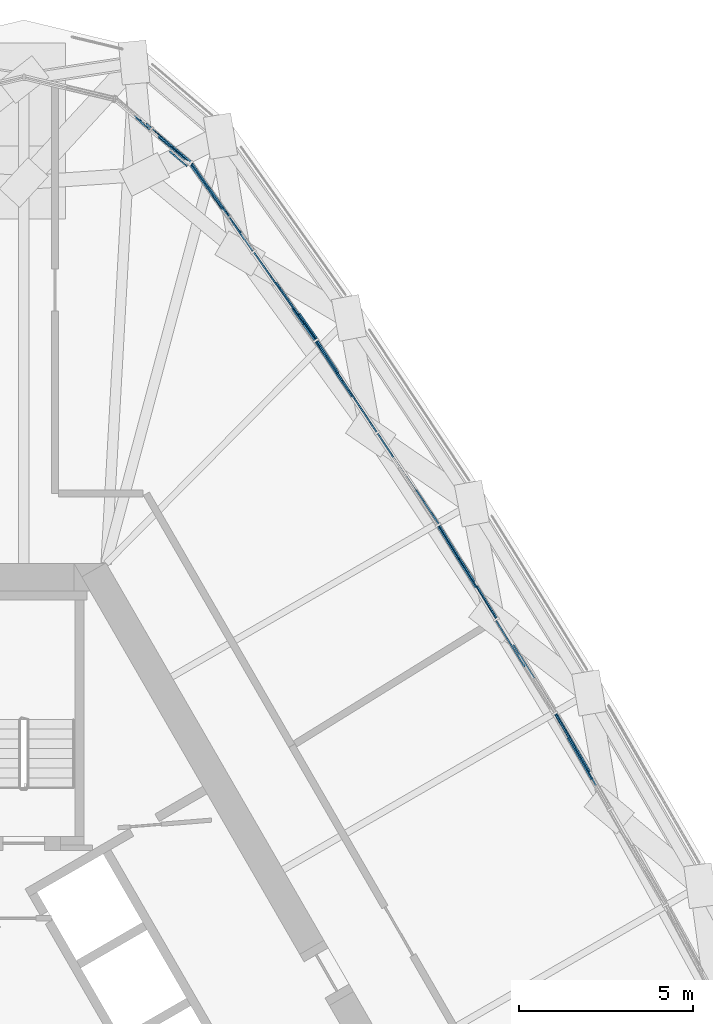
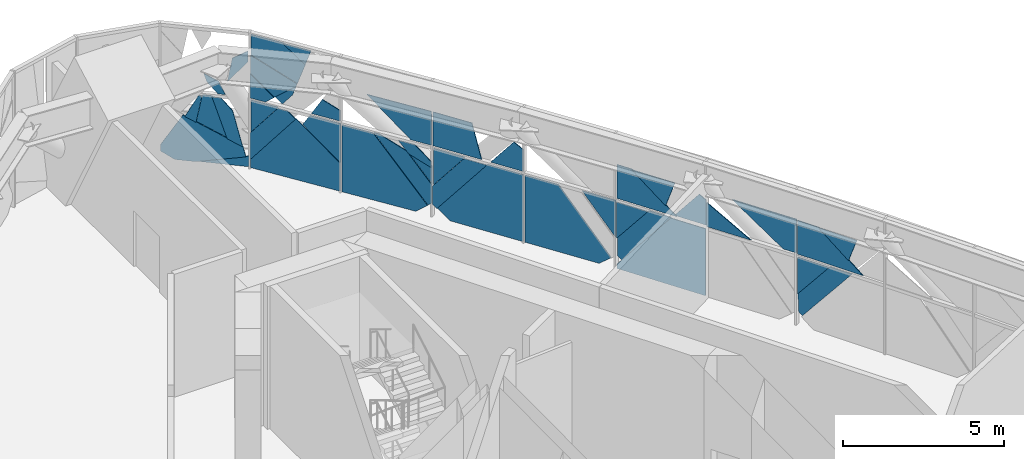
# One storey, part 18 of 35: 41 plates, 2 elements without a shape of their own.
"""IFC4 building model written with IfcOpenShell, lengths in metres."""

from ifc_helpers import new_model, si_unit, direction, frame, origin, place, context, subcontext, project, spatial, polyline, outline, extrude, material, layer, layer_set, type_object, element, aggregate, save


model = new_model("IFC4")

# Units and contexts
model_context = context("Model", 3, precision=1e-05, world=origin(), true_north=direction((0.0, 1.0)))
body_context = subcontext(model_context, "Body", "Model", "MODEL_VIEW")
ifc_project = project(units=[si_unit("LENGTHUNIT", "METRE"), si_unit("AREAUNIT", "SQUARE_METRE"), si_unit("VOLUMEUNIT", "CUBIC_METRE"), si_unit("PLANEANGLEUNIT", "RADIAN"), si_unit("MASSUNIT", "GRAM", prefix="KILO")], contexts=[model_context])

# Site, building, storey
site_placement = place(None, origin())
site = spatial("IfcSite", under=ifc_project, at=site_placement, CompositionType="ELEMENT")
building_placement = place(site_placement, origin())
building = spatial("IfcBuilding", under=site, at=building_placement, Name="Mestral Congress Tower", CompositionType="ELEMENT")
storey_placement = place(building_placement, frame((0.0, 0.0, 196.199951171875)))
storey = spatial("IfcBuildingStorey", under=building, at=storey_placement, Name="L46", CompositionType="ELEMENT", Elevation=196.199951171875)

# Curtain wall, plates
ifc_material_1 = material(Name="Clear low-emissivity double glazing", Category="glass")
curtain_wall_type = type_object("IfcCurtainWallType", Name="Facade refuge band screen", PredefinedType="USERDEFINED", material=ifc_material_1)
placement = place(storey_placement, origin())
curtain_wall_1 = element("IfcCurtainWall", 1, at=placement, inside=storey, type_object=curtain_wall_type, Name="Facade refuge band screen face 2", ObjectType="CURTAIN WALL", PredefinedType="USERDEFINED")
ifc_material_2 = material(Name="Anodised aluminium", Category="aluminium")
ifc_layer_1 = layer(ifc_material_2, 0.028076171875)
ifc_layer_set_1 = layer_set([ifc_layer_1], Name="Anodised aluminium")
plate_type_1 = type_object("IfcPlateType", Name="Facade refuge band screen brace cover panel", PredefinedType="CURTAIN_PANEL", material=ifc_layer_set_1)
plate_1_placement = place(storey_placement, frame((15.32373046875, 12.4873046875, 0.471923828125), z_axis=(0.86591416517, 0.500188030143, 0.002143142511), x_axis=(0.389692334419, -0.671928021533, -0.629803634774)))
plate_1 = element("IfcPlate", 2, at=plate_1_placement, type_object=plate_type_1, Name="Facade refuge band screen brace cover panel", PredefinedType="CURTAIN_PANEL", context=body_context, shape_type="SweptSolid", body=[
    extrude(outline(polyline([(0.0, 0.0), (0.19110925128599898, 0.0), (0.18997897266256358, -2.816556913674819), (-0.42718711257009345, -2.316147987577907), (-0.42651561534917004, -0.5260691277136426), (0.0, 0.0)])), origin(), (0.0, 0.0, -1.0), 0.028076171875),
])
plate_2_placement = place(storey_placement, frame((15.284912109375, 12.464599609375, 3.93798828125), z_axis=(0.86600225483, 0.500036087715, 0.002001402418), x_axis=(0.001666758931, 0.00111588226, -0.999997988359)))
plate_2 = element("IfcPlate", 3, at=plate_2_placement, type_object=plate_type_1, Name="Facade refuge band screen brace cover panel", PredefinedType="CURTAIN_PANEL", context=body_context, shape_type="SweptSolid", body=[
    extrude(outline(polyline([(0.0, 0.0), (1.2778347576155706, -3.2526065174565133e-19), (1.2775234067620984, -2.341269748234959), (-0.0001022973015163503, -0.7708040631580285), (0.0, 0.0)])), origin(), (0.0, 0.0, -1.0), 0.028076171875),
])
plate_3_placement = place(storey_placement, frame((15.644287109375, 11.781982421875, 3.93798828125), z_axis=(0.866022997265, 0.499999663644, 0.002122395817), x_axis=(0.388983485808, -0.671058565991, -0.631167369862)))
plate_3 = element("IfcPlate", 4, at=plate_3_placement, type_object=plate_type_1, Name="Facade refuge band screen brace cover panel", PredefinedType="CURTAIN_PANEL", context=body_context, shape_type="SweptSolid", body=[
    extrude(outline(polyline([(0.0, 0.0), (1.377036688683618, 0.0), (1.0600724376712813, -0.8626165315838175), (0.0, 0.0)])), origin(), (0.0, 0.0, -1.0), 0.028076171875),
])
plate_4_placement = place(storey_placement, frame((13.586181640625, 15.15625, 3.573974609375), z_axis=(0.850404031491, 0.526126672861, 0.001925442394), x_axis=(0.001602989277, 0.001068659518, -0.999998144194)))
plate_4 = element("IfcPlate", 5, at=plate_4_placement, type_object=plate_type_1, Name="Facade refuge band screen brace cover panel", PredefinedType="CURTAIN_PANEL", context=body_context, shape_type="SweptSolid", body=[
    extrude(outline(polyline([(0.0, 0.0), (0.9138200552473911, 8.131516293641283e-20), (0.9137183029983398, -1.555438829654353), (0.0, 0.0)])), origin(), (0.0, 0.0, -1.0), 0.028076171875),
])
plate_5_placement = place(storey_placement, frame((15.281494140625, 12.53369140625, 2.66015625), z_axis=(0.850389472245, 0.52614992007, 0.002001775505), x_axis=(-0.001665400583, -0.001112862216, 0.999997993987)))
plate_5 = element("IfcPlate", 6, at=plate_5_placement, type_object=plate_type_1, Name="Facade refuge band screen brace cover panel", PredefinedType="CURTAIN_PANEL", context=body_context, shape_type="SweptSolid", body=[
    extrude(outline(polyline([(0.0, 0.0), (1.2778347573994073, -2.574980159653073e-19), (1.2776760761721093, -2.260800301536478), (-3.2330183951850236e-05, -0.46341703535003964), (0.0, 0.0)])), origin(), (0.0, 0.0, -1.0), 0.028076171875),
])
plate_6_placement = place(storey_placement, frame((11.9677734375, 17.897216796875, 0.4697265625), z_axis=(0.850409398317, 0.526117871147, 0.001959825003), x_axis=(0.411850339081, -0.663381784009, -0.624743072666)))
plate_6 = element("IfcPlate", 7, at=plate_6_placement, type_object=plate_type_1, Name="Facade refuge band screen brace cover panel", PredefinedType="CURTAIN_PANEL", context=body_context, shape_type="SweptSolid", body=[
    extrude(outline(polyline([(0.0, 0.0), (0.1907036603422005, 2.7755575615628914e-17), (0.19176321632284554, -2.804862674777876), (-0.4267179533286639, -2.310013848480164), (-0.42744435758935645, -0.5344109889249783), (0.0, 0.0)])), origin(), (0.0, 0.0, -1.0), 0.028076171875),
])
plate_7_placement = place(storey_placement, frame((11.938720703125, 17.879150390625, 2.66015625), z_axis=(0.850377037023, 0.526169641007, 0.002098519904), x_axis=(0.526170799288, -0.85037890965, 1.63944e-07)))
plate_7 = element("IfcPlate", 8, at=plate_7_placement, type_object=plate_type_1, Name="Facade refuge band screen brace cover panel", PredefinedType="CURTAIN_PANEL", context=body_context, shape_type="SweptSolid", body=[
    extrude(outline(polyline([(0.0, 0.0), (2.1160844208445875, -4.336808689942018e-19), (0.5360723368750522, -1.27783475702256), (-3.87149541629532e-05, -1.2778351918349669), (0.0, 0.0)])), origin(), (0.0, 0.0, -1.0), 0.028076171875),
])
plate_8_placement = place(storey_placement, frame((12.193115234375, 17.406005859375, 3.93798828125), z_axis=(0.850389552089, 0.52614951387, 0.00207334324), x_axis=(0.410179091336, -0.660473989297, -0.628909550327)))
plate_8 = element("IfcPlate", 9, at=plate_8_placement, type_object=plate_type_1, Name="Facade refuge band screen brace cover panel", PredefinedType="CURTAIN_PANEL", context=body_context, shape_type="SweptSolid", body=[
    extrude(outline(polyline([(0.0, 0.0), (1.5391999972351873, 0.0), (1.1854555300991982, -0.9589293856055899), (0.0, 0.0)])), origin(), (0.0, 0.0, -1.0), 0.028076171875),
])
plate_9_placement = place(storey_placement, frame((13.077392578125, 16.095458984375, 2.66015625), z_axis=(0.850294450042, 0.526303519875, 0.001988264431), x_axis=(0.526304560531, -0.850296130512, -2.14686e-07)))
plate_9 = element("IfcPlate", 10, at=plate_9_placement, type_object=plate_type_1, Name="Facade refuge band screen brace cover panel", PredefinedType="CURTAIN_PANEL", context=body_context, shape_type="SweptSolid", body=[
    extrude(outline(polyline([(0.0, 0.0), (1.0064377035639533, -1.0842021724855044e-19), (1.0063684208244326, -0.9492207848986903), (0.7670138656070347, -1.089846033878413), (-0.06402492968041275, -0.05175768429013953), (0.0, 0.0)])), origin(), (0.0, 0.0, -1.0), 0.028076171875),
])
plate_10_placement = place(storey_placement, frame((8.3984375, 23.1689453125, 0.462646484375), z_axis=(0.833925307385, 0.551873787364, 0.001975986892), x_axis=(0.434032885485, -0.653638473379, -0.619977580592)))
plate_10 = element("IfcPlate", 11, at=plate_10_placement, type_object=plate_type_1, Name="Facade refuge band screen brace cover panel", PredefinedType="CURTAIN_PANEL", context=body_context, shape_type="SweptSolid", body=[
    extrude(outline(polyline([(0.0, 0.0), (0.18744355294541287, 1.3877787807814457e-17), (0.1889947178135869, -2.7969888159402507), (-0.4312300489059524, -2.306908493530318), (-0.4321887796871464, -0.5468581469970791), (0.0, 0.0)])), origin(), (0.0, 0.0, -1.0), 0.028076171875),
])
plate_11_placement = place(storey_placement, frame((8.42431640625, 23.18603515625, 3.93798828125), z_axis=(0.833884541807, 0.551935212433, 0.002022921919), x_axis=(0.001683102058, 0.001122242209, -0.999997953868)))
plate_11 = element("IfcPlate", 12, at=plate_11_placement, type_object=plate_type_1, Name="Facade refuge band screen brace cover panel", PredefinedType="CURTAIN_PANEL", context=body_context, shape_type="SweptSolid", body=[
    extrude(outline(polyline([(0.0, 0.0), (1.2778347587685799, 1.1689054672109345e-19), (1.2778231465928567, -1.676975366243301), (-9.098219027585267e-06, -1.343286322201152), (0.0, 0.0)])), origin(), (0.0, 0.0, -1.0), 0.028076171875),
])
plate_12_placement = place(storey_placement, frame((10.149658203125, 20.583740234375, 2.66015625), z_axis=(0.834011363543, 0.551743833368, 0.001946232722), x_axis=(-0.00161900972, -0.001080132656, 0.999998106059)))
plate_12 = element("IfcPlate", 13, at=plate_12_placement, type_object=plate_type_1, Name="Facade refuge band screen brace cover panel", PredefinedType="CURTAIN_PANEL", context=body_context, shape_type="SweptSolid", body=[
    extrude(outline(polyline([(0.0, 0.0), (0.8256854563670513, 9.994988777600744e-20), (1.0153803013486669, -0.32800172690398016), (-8.257990775382322e-06, -1.1312103676402865), (0.0, 0.0)])), origin(), (0.0, 0.0, -1.0), 0.028076171875),
])
plate_13_placement = place(storey_placement, frame((8.343017578125, 23.3671875, 0.334716796875), z_axis=(0.816694769437, 0.577066389906, 0.002008784138), x_axis=(0.440830816469, -0.62612580895, 0.643144355972)))
plate_13 = element("IfcPlate", 14, at=plate_13_placement, type_object=plate_type_1, Name="Facade refuge band screen brace cover panel", PredefinedType="CURTAIN_PANEL", context=body_context, shape_type="SweptSolid", body=[
    extrude(outline(polyline([(0.0, 0.0), (0.1757573109062312, -4.163336342344337e-17), (0.6204594276723673, -0.5294186354362493), (0.6206428713010326, -1.8826924851173672), (0.14454614062224502, -2.7585760002890396), (0.000610101476404834, -2.8794671551682947), (0.0, 0.0)])), origin(), (0.0, 0.0, -1.0), 0.028076171875),
])
plate_14_placement = place(storey_placement, frame((8.390380859375, 23.23583984375, 3.93798828125), z_axis=(0.816674980709, 0.577094569487, 0.001957997166), x_axis=(-0.577095675797, 0.816676546116, 5.4761e-08)))
plate_14 = element("IfcPlate", 15, at=plate_14_placement, type_object=plate_type_1, Name="Facade refuge band screen brace cover panel", PredefinedType="CURTAIN_PANEL", context=body_context, shape_type="SweptSolid", body=[
    extrude(outline(polyline([(0.0, 0.0), (2.2014677691522957, -4.336808689942018e-19), (0.7028431359062469, -1.2778345191912972), (6.909356782676072e-05, -1.277834360153231), (0.0, 0.0)])), origin(), (0.0, 0.0, -1.0), 0.028076171875),
])
plate_15_placement = place(storey_placement, frame((4.815673828125, 28.2548828125, 0.339111328125), z_axis=(0.816722760546, 0.577027097307, 0.00191347308), x_axis=(0.353880588966, -0.503495475858, 0.788201011509)))
plate_15 = element("IfcPlate", 16, at=plate_15_placement, type_object=plate_type_1, Name="Facade refuge band screen brace cover panel", PredefinedType="CURTAIN_PANEL", context=body_context, shape_type="SweptSolid", body=[
    extrude(outline(polyline([(0.0, 0.0), (2.4956086069966066, 0.0), (2.504826589057396, -0.3682410693814633), (2.307108570606991, -0.6214707992115186), (0.7704170829835177, -0.6215364496375864), (0.0002253186158616624, -0.019943666468866427), (0.0, 0.0)])), origin(), (0.0, 0.0, -1.0), 0.028076171875),
])

curtain_wall_2 = element("IfcCurtainWall", 17, at=placement, inside=storey, type_object=curtain_wall_type, Name="Facade refuge band screen corner 2", ObjectType="CURTAIN WALL", PredefinedType="USERDEFINED")
plate_16_placement = place(storey_placement, frame((4.06005859375, 28.944580078125, 3.134521484375), z_axis=(0.648470373248, 0.761236729349, 0.002194745929), x_axis=(-0.680122639099, 0.578072318089, 0.450849853992)))
plate_16 = element("IfcPlate", 18, at=plate_16_placement, type_object=plate_type_1, Name="Facade refuge band screen brace cover panel", PredefinedType="CURTAIN_PANEL", context=body_context, shape_type="SweptSolid", body=[
    extrude(outline(polyline([(0.0, 0.0), (0.5225596018325449, -2.7755575615628914e-17), (0.31109550062608754, -0.21648709185000276), (-0.19276361961318242, -0.43407910239821057), (-0.4063928879414268, -0.3261749521492121), (0.0, 0.0)])), origin(), (0.0, 0.0, -1.0), 0.028076171875),
])
plate_17_placement = place(storey_placement, frame((4.69873046875, 28.2275390625, 4.083984375), z_axis=(0.648227099625, 0.761444536326, 0.00196097185), x_axis=(-0.001374525644, -0.001405175609, 0.999998068079)))
plate_17 = element("IfcPlate", 19, at=plate_17_placement, type_object=plate_type_1, Name="Facade refuge band screen brace cover panel", PredefinedType="CURTAIN_PANEL", context=body_context, shape_type="SweptSolid", body=[
    extrude(outline(polyline([(0.0, 0.0), (0.40722713304625696, 2.0328790734103208e-20), (0.07501898118784871, -0.4984406585492918), (-0.8299918062242524, -0.6492600746033599), (0.0, 0.0)])), origin(), (0.0, 0.0, -1.0), 0.028076171875),
])

# Plate
ifc_layer_2 = layer(ifc_material_1, 0.028076171875)
ifc_layer_set_2 = layer_set([ifc_layer_2], Name="Clear low-emissivity double glazing")
plate_type_2 = type_object("IfcPlateType", Name="Facade refuge band screen panel", PredefinedType="CURTAIN_PANEL", material=ifc_layer_set_2)
plate_18_placement = place(storey_placement, frame((15.29248046875, 12.468994140625, 2.5400390625), z_axis=(0.865938345175, 0.500146571738, 0.002046737385), x_axis=(0.001755306135, 0.001053183681, -0.99999790485)))
plate_18 = element("IfcPlate", 20, at=plate_18_placement, type_object=plate_type_2, Name="Refuge screen glass unit", PredefinedType="CURTAIN_PANEL", context=body_context, shape_type="SweptSolid", body=[
    extrude(outline(polyline([(0.0, 0.0), (1.3908720547105027, -3.5236570605778894e-19), (-3.839732169316334e-05, -1.126620502414285), (0.0, 0.0)])), origin(), (0.0, 0.0, -1.0), 0.028076171875),
])

plate_19_placement = place(storey_placement, frame((13.581787109375, 15.22412109375, 2.5400390625), z_axis=(0.850355004315, 0.526205684726, 0.001985950117), x_axis=(-0.526206722093, 0.850356681413, -1.85415e-07)))
plate_19 = element("IfcPlate", 21, at=plate_19_placement, type_object=plate_type_2, Name="Refuge screen glass unit", PredefinedType="CURTAIN_PANEL", context=body_context, shape_type="SweptSolid", body=[
    extrude(outline(polyline([(0.0, 0.0), (1.220407698191453, 2.168404344971009e-19), (3.1222070328363825, -2.3752482430092186), (3.1222862015655304, -2.540043507322096), (-2.8288193909634153e-05, -2.540044281331777), (0.0, 0.0)])), origin(), (0.0, 0.0, -1.0), 0.028076171875),
])

plate_20_placement = place(storey_placement, frame((11.913330078125, 17.86328125, 2.5400390625), z_axis=(0.850324134319, 0.526254936427, 0.002146736991), x_axis=(0.001761489675, 0.001233042772, -0.999997688377)))
plate_20 = element("IfcPlate", 22, at=plate_20_placement, type_object=plate_type_2, Name="Refuge screen glass unit", PredefinedType="CURTAIN_PANEL", context=body_context, shape_type="SweptSolid", body=[
    extrude(outline(polyline([(0.0, 0.0), (1.3859895320100697, -2.168404344971009e-19), (-0.00013482104810694337, -1.1096960515236975), (0.0, 0.0)])), origin(), (0.0, 0.0, -1.0), 0.028076171875),
])

plate_21_placement = place(storey_placement, frame((10.18310546875, 20.53369140625, 2.5400390625), z_axis=(0.833904088978, 0.5519058442, 0.00197725168), x_axis=(0.001615715942, 0.001141310039, -0.999998043435)))
plate_21 = element("IfcPlate", 23, at=plate_21_placement, type_object=plate_type_2, Name="Refuge screen glass unit", PredefinedType="CURTAIN_PANEL", context=body_context, shape_type="SweptSolid", body=[
    extrude(outline(polyline([(0.0, 0.0), (2.540044142281968, 1.0570971181733668e-18), (2.539889972063397, -2.566654147366791), (2.1963586577474925, -2.980767212006616), (-6.95303393392706e-05, -1.159378585027329), (0.0, 0.0)])), origin(), (0.0, 0.0, -1.0), 0.028076171875),
])

plate_22_placement = place(storey_placement, frame((11.93115234375, 17.94677734375, 2.5400390625), z_axis=(0.833923351487, 0.551876529653, 0.002034665158), x_axis=(-0.551877672003, 0.833925077657, 0.0)))
plate_22 = element("IfcPlate", 24, at=plate_22_placement, type_object=plate_type_2, Name="Refuge screen glass unit", PredefinedType="CURTAIN_PANEL", context=body_context, shape_type="SweptSolid", body=[
    extrude(outline(polyline([(0.0, 0.0), (1.1590402546607175, 0.0), (-0.00012578765969028675, -1.397952112417621), (0.0, 0.0)])), origin(), (0.0, 0.0, -1.0), 0.028076171875),
])

plate_23_placement = place(storey_placement, frame((8.45166015625, 23.2041015625, 2.5400390625), z_axis=(0.833901506219, 0.551909068745, 0.002158185098), x_axis=(0.001768655234, 0.001238058664, -0.999997669532)))
plate_23 = element("IfcPlate", 25, at=plate_23_placement, type_object=plate_type_2, Name="Refuge screen glass unit", PredefinedType="CURTAIN_PANEL", context=body_context, shape_type="SweptSolid", body=[
    extrude(outline(polyline([(0.0, 0.0), (1.3803743106681763, 3.3881317890172014e-19), (-6.144522457414078e-05, -1.091733570663198), (0.0, 0.0)])), origin(), (0.0, 0.0, -1.0), 0.028076171875),
])

plate_24_placement = place(storey_placement, frame((8.753662109375, 22.702880859375, 0.0), z_axis=(0.833909023332, 0.551898340464, 0.001990627489), x_axis=(0.551899433768, -0.833910675676, 1.05843e-07)))
plate_24 = element("IfcPlate", 26, at=plate_24_placement, type_object=plate_type_2, Name="Refuge screen glass unit", PredefinedType="CURTAIN_PANEL", context=body_context, shape_type="SweptSolid", body=[
    extrude(outline(polyline([(0.0, 0.0), (2.5376056857552687, 4.336808689942018e-19), (2.537554862573672, -2.5400438700072474), (1.297665745303179, -2.5400440777950317), (-0.43762517746365825, -0.34643648799707283), (0.0, 0.0)])), origin(), (0.0, 0.0, -1.0), 0.028076171875),
])

plate_25_placement = place(storey_placement, frame((6.631591796875, 25.73828125, 0.0), z_axis=(0.81668018256, 0.577087218807, 0.001954815519), x_axis=(0.577088321456, -0.816681742932, -2.0463e-08)))
plate_25 = element("IfcPlate", 27, at=plate_25_placement, type_object=plate_type_2, Name="Refuge screen glass unit", PredefinedType="CURTAIN_PANEL", context=body_context, shape_type="SweptSolid", body=[
    extrude(outline(polyline([(0.0, 0.0), (2.525183318681839, 1.3010426069826053e-18), (2.9237998032835284, -0.33471746938448393), (1.0726903182144776, -2.540043917887809), (-0.00020195683356569026, -2.540043864871072), (0.0, 0.0)])), origin(), (0.0, 0.0, -1.0), 0.028076171875),
])

plate_26_placement = place(storey_placement, frame((8.44384765625, 23.273681640625, 1.13916015625), z_axis=(0.816690331046, 0.577072548276, 0.002043820492), x_axis=(-0.001757465553, -0.001054479332, 0.999997899692)))
plate_26 = element("IfcPlate", 28, at=plate_26_placement, type_object=plate_type_2, Name="Refuge screen glass unit", PredefinedType="CURTAIN_PANEL", context=body_context, shape_type="SweptSolid", body=[
    extrude(outline(polyline([(0.0, 0.0), (0.6945815369602432, -1.2197274440461925e-19), (1.0365122500378972, -0.8700531611605857), (0.0, 0.0)])), origin(), (0.0, 0.0, -1.0), 0.028076171875),
])

plate_27_placement = place(storey_placement, frame((8.369140625, 23.220947265625, 1.833740234375), z_axis=(0.816678912205, 0.577089169704, 0.001909075725), x_axis=(-0.001410432631, -0.001312105018, 0.999998144528)))
plate_27 = element("IfcPlate", 29, at=plate_27_placement, type_object=plate_type_2, Name="Refuge screen glass unit", PredefinedType="CURTAIN_PANEL", context=body_context, shape_type="SweptSolid", body=[
    extrude(outline(polyline([(0.0, 0.0), (0.22705102464576368, -3.3881317890172014e-20), (0.7061552533444649, -0.5622352555057668), (0.7060116439747007, -1.1194422897074428), (0.3010722891118367, -0.7672172320440962), (0.0, 0.0)])), origin(), (0.0, 0.0, -1.0), 0.028076171875),
])

plate_28_placement = place(storey_placement, frame((4.831298828125, 28.284912109375, 0.31884765625), z_axis=(0.816676832103, 0.577091816381, 0.001996840672), x_axis=(0.001419041923, 0.001452000999, -0.999997939004)))
plate_28 = element("IfcPlate", 30, at=plate_28_placement, type_object=plate_type_2, Name="Refuge screen glass unit", PredefinedType="CURTAIN_PANEL", context=body_context, shape_type="SweptSolid", body=[
    extrude(outline(polyline([(0.0, 0.0), (0.31884840098282163, 4.0657581468206416e-20), (0.31772603742872596, -3.058748855778224), (-0.7496587727826631, -3.0583679126033845), (-1.9878776849372095, -1.5506889712451053), (0.0, 0.0)])), origin(), (0.0, 0.0, -1.0), 0.028076171875),
])

plate_29_placement = place(storey_placement, frame((6.61962890625, 25.803466796875, 1.0673828125), z_axis=(0.816700871503, 0.577057682312, 0.002029229122), x_axis=(-0.001662411082, -0.001163717918, 0.999997941073)))
plate_29 = element("IfcPlate", 31, at=plate_29_placement, type_object=plate_type_2, Name="Refuge screen glass unit", PredefinedType="CURTAIN_PANEL", context=body_context, shape_type="SweptSolid", body=[
    extrude(outline(polyline([(0.0, 0.0), (1.4726592653046549, 6.2680438096818225e-19), (1.4726686553559736, -1.0534512656081578), (1.0637343909554107, -1.294102921982326), (0.0, 0.0)])), origin(), (0.0, 0.0, -1.0), 0.028076171875),
])

plate_30_placement = place(storey_placement, frame((4.85400390625, 28.30126953125, 1.328857421875), z_axis=(0.816772996921, 0.576955640998, 0.002014899783), x_axis=(0.353804421074, -0.503619225328, 0.788156144117)))
plate_30 = element("IfcPlate", 32, at=plate_30_placement, type_object=plate_type_2, Name="Refuge screen glass unit", PredefinedType="CURTAIN_PANEL", context=body_context, shape_type="SweptSolid", body=[
    extrude(outline(polyline([(0.0, 0.0), (1.5367280324666228, 0.0), (0.9546469509146795, -0.7453966233897559), (0.0, 0.0)])), origin(), (0.0, 0.0, -1.0), 0.028076171875),
])

plate_31_placement = place(storey_placement, frame((5.103515625, 27.8359375, 2.66015625), z_axis=(0.816703716206, 0.577053992006, 0.001931384455), x_axis=(0.441081023714, -0.626412440661, 0.642693538714)))
plate_31 = element("IfcPlate", 33, at=plate_31_placement, type_object=plate_type_2, Name="Refuge screen glass unit", PredefinedType="CURTAIN_PANEL", context=body_context, shape_type="SweptSolid", body=[
    extrude(outline(polyline([(0.0, 0.0), (0.38556868142991974, 0.0), (0.19088175667267238, -1.0425354692025401), (-0.4014060829678713, -0.33673647395247386), (0.0, 0.0)])), origin(), (0.0, 0.0, -1.0), 0.028076171875),
])

plate_32_placement = place(storey_placement, frame((4.82470703125, 28.280517578125, 4.2607421875), z_axis=(0.816605806361, 0.577192703411, 0.001881527516), x_axis=(0.001507205451, 0.001127407636, -0.99999822864)))
plate_32 = element("IfcPlate", 34, at=plate_32_placement, type_object=plate_type_2, Name="Refuge screen glass unit", PredefinedType="CURTAIN_PANEL", context=body_context, shape_type="SweptSolid", body=[
    extrude(outline(polyline([(0.0, 0.0), (0.679200313262218, 1.5585406229479126e-19), (1.3527440788133809, -0.8195607290260158), (0.7396687233449292, -1.5496400781935968), (0.6241880257727889, -1.589255263670032), (0.0, 0.0)])), origin(), (0.0, 0.0, -1.0), 0.028076171875),
])

plate_33_placement = place(storey_placement, frame((5.767333984375, 27.00048828125, 3.636474609375), z_axis=(0.816671647689, 0.577099317355, 0.001948786797), x_axis=(0.185976318489, -0.266374715116, 0.945757537696)))
plate_33 = element("IfcPlate", 35, at=plate_33_placement, type_object=plate_type_2, Name="Refuge screen glass unit", PredefinedType="CURTAIN_PANEL", context=body_context, shape_type="SweptSolid", body=[
    extrude(outline(polyline([(0.0, 0.0), (0.8505809269325445, 0.0), (1.1596369585089918, -0.9136624112063712), (0.8016473321463812, -1.9558458220259165), (0.07405514011828862, -1.706016482712573), (0.0, 0.0)])), origin(), (0.0, 0.0, -1.0), 0.028076171875),
])

plate_34_placement = place(storey_placement, frame((6.00439453125, 26.6083984375, 5.030029296875), z_axis=(0.81669880358, 0.577060730737, 0.00199430984), x_axis=(-0.577061878251, 0.816700427739, -3.2544e-08)))
plate_34 = element("IfcPlate", 36, at=plate_34_placement, type_object=plate_type_2, Name="Refuge screen glass unit", PredefinedType="CURTAIN_PANEL", context=body_context, shape_type="SweptSolid", body=[
    extrude(outline(polyline([(0.0, 0.0), (0.9443258699913164, 1.0842021724855044e-19), (0.1806236359048601, -0.5891124937782033), (-0.015580983723017094, -0.01806647341678363), (0.0, 0.0)])), origin(), (0.0, 0.0, -1.0), 0.028076171875),
])

plate_35_placement = place(storey_placement, frame((6.240966796875, 26.279541015625, 3.297607421875), z_axis=(0.816695052086, 0.577066084095, 0.001981535954), x_axis=(-0.291457023988, 0.415444482189, -0.861660423477)))
plate_35 = element("IfcPlate", 37, at=plate_35_placement, type_object=plate_type_2, Name="Refuge screen glass unit", PredefinedType="CURTAIN_PANEL", context=body_context, shape_type="SweptSolid", body=[
    extrude(outline(polyline([(0.0, 0.0), (0.7397940724990524, 5.551115123125783e-17), (0.24100595624927312, -0.8468997357333382), (-0.10262055873423023, -0.6442591905626229), (0.0, 0.0)])), origin(), (0.0, 0.0, -1.0), 0.028076171875),
])

plate_36_placement = place(storey_placement, frame((5.32421875, 27.630126953125, 2.907958984375), z_axis=(0.816549978637, 0.577270628929, 0.002180221148), x_axis=(0.447029801735, -0.629925528485, -0.63510486136)))
plate_36 = element("IfcPlate", 38, at=plate_36_placement, type_object=plate_type_2, Name="Refuge screen glass unit", PredefinedType="CURTAIN_PANEL", context=body_context, shape_type="SweptSolid", body=[
    extrude(outline(polyline([(0.0, 0.0), (0.3259797567200514, 0.0), (0.3117922428771288, -0.5702218789665467), (0.17461057833524368, -0.9372237716679019), (0.0, 0.0)])), origin(), (0.0, 0.0, -1.0), 0.028076171875),
])

aggregate(curtain_wall_1, [plate_18, plate_1, plate_2, plate_3, plate_4, plate_5, plate_19, plate_20, plate_6, plate_7, plate_8, plate_9, plate_21, plate_22, plate_23, plate_24, plate_10, plate_11, plate_12, plate_25, plate_26, plate_27, plate_13, plate_14, plate_28, plate_29, plate_30, plate_15, plate_31, plate_32, plate_33, plate_34, plate_35, plate_36])

plate_37_placement = place(storey_placement, frame((4.8076171875, 28.355712890625, 0.0), z_axis=(0.648203106154, 0.761464401585, 0.002167554127), x_axis=(-0.00121065087, -0.001815976304, 0.999997618274)))
plate_37 = element("IfcPlate", 39, at=plate_37_placement, type_object=plate_type_2, Name="Refuge screen glass unit", PredefinedType="CURTAIN_PANEL", context=body_context, shape_type="SweptSolid", body=[
    extrude(outline(polyline([(0.0, 0.0), (0.4033212731005888, -2.710505431213761e-20), (-0.0004291662750567709, -1.6813266458360903), (0.0, 0.0)])), origin(), (0.0, 0.0, -1.0), 0.028076171875),
])

plate_38_placement = place(storey_placement, frame((4.7177734375, 28.391845703125, 0.38134765625), z_axis=(0.648196266606, 0.761471004347, 0.001873365142), x_axis=(-0.178899720482, 0.149894748463, 0.972381845982)))
plate_38 = element("IfcPlate", 40, at=plate_38_placement, type_object=plate_type_2, Name="Refuge screen glass unit", PredefinedType="CURTAIN_PANEL", context=body_context, shape_type="SweptSolid", body=[
    extrude(outline(polyline([(0.0, 0.0), (0.39644681942621407, -1.3877787807814457e-17), (1.765336217830677, -1.6131629672432026), (0.7548162193379198, -2.584152206823908), (0.5129006661086055, -2.6421876098955175), (0.1518045334086246, -2.2664383991781865), (0.00014482283338185242, -1.6345683743689376), (0.0, 0.0)])), origin(), (0.0, 0.0, -1.0), 0.028076171875),
])

plate_39_placement = place(storey_placement, frame((4.62744140625, 28.428466796875, 0.766845703125), z_axis=(0.648150302484, 0.761509878281, 0.001972478299), x_axis=(-0.178754952696, 0.149626345991, 0.972449805117)))
plate_39 = element("IfcPlate", 41, at=plate_39_placement, type_object=plate_type_2, Name="Refuge screen glass unit", PredefinedType="CURTAIN_PANEL", context=body_context, shape_type="SweptSolid", body=[
    extrude(outline(polyline([(0.0, 0.0), (1.3657517441715779, 5.551115123125783e-17), (1.885215019126706, -0.2577539840096399), (1.950776292068539, -0.5312595562210941), (0.35583445201871133, -0.4192978428640669), (0.0, 0.0)])), origin(), (0.0, 0.0, -1.0), 0.028076171875),
])

plate_40_placement = place(storey_placement, frame((3.92431640625, 29.10107421875, 2.5400390625), z_axis=(0.648174887631, 0.761488844948, 0.002013470722), x_axis=(-0.761490388149, 0.648176201936, -2.80442e-07)))
plate_40 = element("IfcPlate", 42, at=plate_40_placement, type_object=plate_type_2, Name="Refuge screen glass unit", PredefinedType="CURTAIN_PANEL", context=body_context, shape_type="SweptSolid", body=[
    extrude(outline(polyline([(0.0, 0.0), (0.3129514264263952, 0.0), (0.5019126272285647, -1.0283222561869145), (-0.4805066735715971, -1.524905657305247), (0.0, 0.0)])), origin(), (0.0, 0.0, -1.0), 0.028076171875),
])

plate_41_placement = place(storey_placement, frame((3.504638671875, 29.38232421875, 1.51171875), z_axis=(0.648190512098, 0.761475589676, 0.001996585704), x_axis=(0.136349326116, -0.118643386668, 0.983530684863)))
plate_41 = element("IfcPlate", 43, at=plate_41_placement, type_object=plate_type_2, Name="Refuge screen glass unit", PredefinedType="CURTAIN_PANEL", context=body_context, shape_type="SweptSolid", body=[
    extrude(outline(polyline([(0.0, 0.0), (1.0455395731258015, 2.7755575615628914e-17), (1.02613273976422, -0.10561199006186898), (0.11184748744970904, -0.3801547338016332), (0.0, 0.0)])), origin(), (0.0, 0.0, -1.0), 0.028076171875),
])

aggregate(curtain_wall_2, [plate_37, plate_38, plate_39, plate_40, plate_41, plate_16, plate_17])

save(model, "model.ifc")
